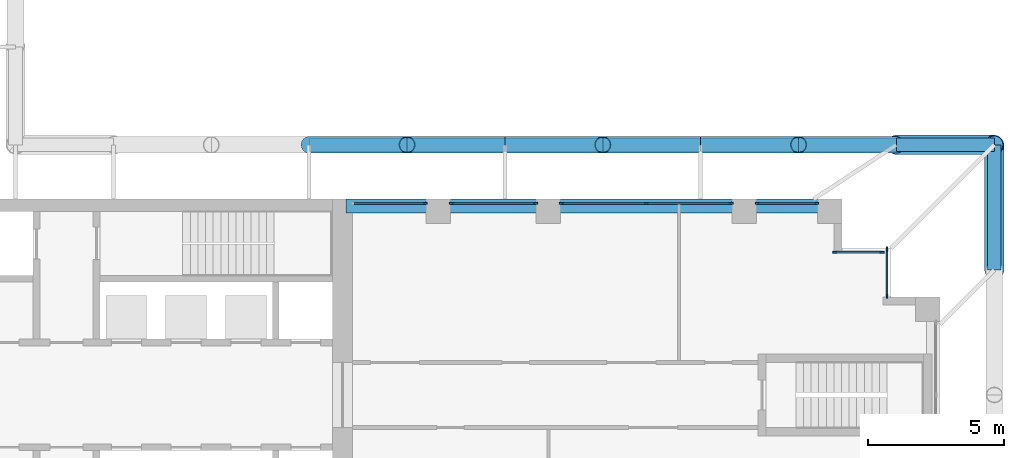
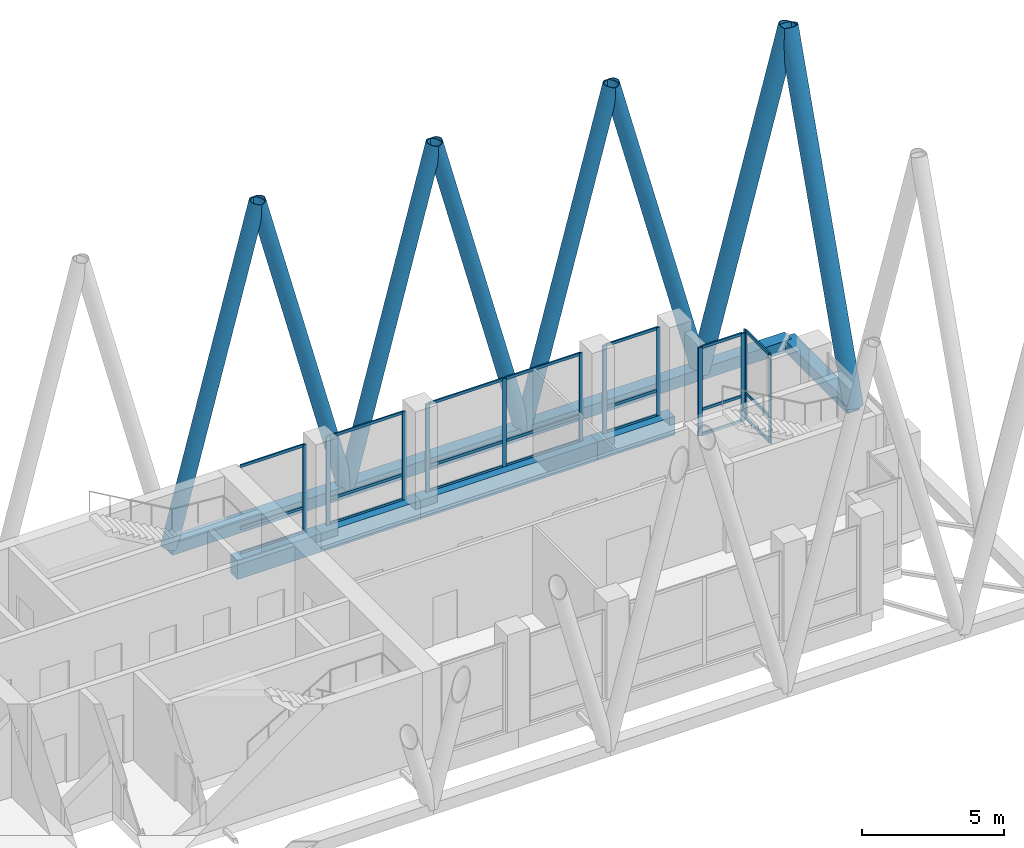
# One storey, part 9 of 22: 46 members, 4 beams, 6 elements without a shape of their own.
"""IFC4 building model written with IfcOpenShell, lengths in metres."""

from ifc_helpers import new_model, si_unit, direction, frame, origin, origin_2d, place, context, subcontext, project, spatial, rectangle, hollow_rectangle, hollow_circle, extrude, material, material_profile, profile_set, type_object, element, aggregate, save


model = new_model("IFC4")

# Units and contexts
model_context = context("Model", 3, precision=1e-05, world=origin(), true_north=direction((0.0, 1.0)))
body_context = subcontext(model_context, "Body", "Model", "MODEL_VIEW")
ifc_project = project(units=[si_unit("LENGTHUNIT", "METRE"), si_unit("AREAUNIT", "SQUARE_METRE"), si_unit("VOLUMEUNIT", "CUBIC_METRE"), si_unit("PLANEANGLEUNIT", "RADIAN"), si_unit("MASSUNIT", "GRAM", prefix="KILO")], contexts=[model_context])

# Site, building, storey
site_placement = place(None, origin())
site = spatial("IfcSite", under=ifc_project, at=site_placement, CompositionType="ELEMENT")
building_placement = place(site_placement, origin())
building = spatial("IfcBuilding", under=site, at=building_placement, Name="Fustian Cross Tower", CompositionType="ELEMENT")
storey_placement = place(building_placement, frame((0.0, 0.0, 116.10009765625)))
storey = spatial("IfcBuildingStorey", under=building, at=storey_placement, Name="L36", CompositionType="ELEMENT", Elevation=116.10009765625)

# Curtain wall, members
ifc_material_1 = material(Name="Dark anodised aluminium and double glazing", Category="aluminium")
curtain_wall_type = type_object("IfcCurtainWallType", Name="CW1 LOUNGE CURTAIN WALL", PredefinedType="NOTDEFINED", material=ifc_material_1)
curtain_wall_1_placement = place(storey_placement, origin())
curtain_wall_1 = element("IfcCurtainWall", 1, at=curtain_wall_1_placement, inside=storey, type_object=curtain_wall_type, Name="Curtain wall", PredefinedType="NOTDEFINED")
ifc_material_2 = material(Name="Aluminium alloy 6063", Category="aluminium")
ifc_material_profile_1 = material_profile(ifc_material_2, rectangle(XDim=0.06005859375, YDim=0.159912109375, at=origin_2d()), Name="CW1 MULLION 60X160")
ifc_profile_set_1 = profile_set([ifc_material_profile_1], Name="Aluminium alloy 6063")
member_type_1 = type_object("IfcMemberType", Name="CW1 MULLION 60X160", PredefinedType="MULLION", material=ifc_profile_set_1)
member_1_placement = place(storey_placement, frame((41.25, 3.6298828125, 0.0), z_axis=(0.0, 0.0, 1.0), x_axis=(-1.0, 0.0, 0.0)))
member_1 = element("IfcMember", 2, at=member_1_placement, type_object=member_type_1, Name="CW1 mullion 1", PredefinedType="MULLION", context=body_context, shape_type="SweptSolid", body=[
    extrude(rectangle(XDim=0.06005859375, YDim=0.159912109375, at=origin_2d()), origin(), (0.0, 0.0, 1.0), 3.7998046875),
])
member_2_placement = place(storey_placement, frame((41.25, 5.3701171875, 0.0), z_axis=(0.0, 0.0, 1.0), x_axis=(-1.0, 0.0, 0.0)))
member_2 = element("IfcMember", 3, at=member_2_placement, type_object=member_type_1, Name="CW1 mullion 2", PredefinedType="MULLION", context=body_context, shape_type="SweptSolid", body=[
    extrude(rectangle(XDim=0.06005859375, YDim=0.159912109375, at=origin_2d()), origin(), (0.0, 0.0, 1.0), 3.7998046875),
])

curtain_wall_2_placement = place(storey_placement, origin())
curtain_wall_2 = element("IfcCurtainWall", 4, at=curtain_wall_2_placement, inside=storey, type_object=curtain_wall_type, Name="Curtain wall", PredefinedType="NOTDEFINED")
member_3_placement = place(storey_placement, frame((41.070068359375, 5.25, 0.0), z_axis=(0.0, 0.0, 1.0), x_axis=(0.0, -1.0, 0.0)))
member_3 = element("IfcMember", 5, at=member_3_placement, type_object=member_type_1, Name="CW1 mullion 1", PredefinedType="MULLION", context=body_context, shape_type="SweptSolid", body=[
    extrude(rectangle(XDim=0.06005859375, YDim=0.159912109375, at=origin_2d()), origin(), (0.0, 0.0, 1.0), 3.7998046875),
])
member_4_placement = place(storey_placement, frame((39.330078125, 5.25, 0.0), z_axis=(0.0, 0.0, 1.0), x_axis=(0.0, -1.0, 0.0)))
member_4 = element("IfcMember", 6, at=member_4_placement, type_object=member_type_1, Name="CW1 mullion 2", PredefinedType="MULLION", context=body_context, shape_type="SweptSolid", body=[
    extrude(rectangle(XDim=0.06005859375, YDim=0.159912109375, at=origin_2d()), origin(), (0.0, 0.0, 1.0), 3.7998046875),
])

curtain_wall_3_placement = place(storey_placement, origin())
curtain_wall_3 = element("IfcCurtainWall", 7, at=curtain_wall_3_placement, inside=storey, type_object=curtain_wall_type, Name="Curtain wall", PredefinedType="NOTDEFINED")
member_5_placement = place(storey_placement, frame((38.669921875, 7.050048828125, 0.0), z_axis=(0.0, 0.0, 1.0), x_axis=(0.0, -1.0, 0.0)))
member_5 = element("IfcMember", 8, at=member_5_placement, type_object=member_type_1, Name="CW1 mullion 1", PredefinedType="MULLION", context=body_context, shape_type="SweptSolid", body=[
    extrude(rectangle(XDim=0.06005859375, YDim=0.159912109375, at=origin_2d()), origin(), (0.0, 0.0, 1.0), 3.7998046875),
])
member_6_placement = place(storey_placement, frame((36.47998046875, 7.050048828125, 0.0), z_axis=(0.0, 0.0, 1.0), x_axis=(0.0, -1.0, 0.0)))
member_6 = element("IfcMember", 9, at=member_6_placement, type_object=member_type_1, Name="CW1 mullion 2", PredefinedType="MULLION", context=body_context, shape_type="SweptSolid", body=[
    extrude(rectangle(XDim=0.06005859375, YDim=0.159912109375, at=origin_2d()), origin(), (0.0, 0.0, 1.0), 3.7998046875),
])

curtain_wall_4_placement = place(storey_placement, origin())
curtain_wall_4 = element("IfcCurtainWall", 10, at=curtain_wall_4_placement, inside=storey, type_object=curtain_wall_type, Name="Curtain wall", PredefinedType="NOTDEFINED")
member_7_placement = place(storey_placement, frame((35.52001953125, 7.050048828125, 0.0), z_axis=(0.0, 0.0, 1.0), x_axis=(0.0, -1.0, 0.0)))
member_7 = element("IfcMember", 11, at=member_7_placement, type_object=member_type_1, Name="CW1 mullion 1", PredefinedType="MULLION", context=body_context, shape_type="SweptSolid", body=[
    extrude(rectangle(XDim=0.06005859375, YDim=0.159912109375, at=origin_2d()), origin(), (0.0, 0.0, 1.0), 3.7998046875),
])
member_8_placement = place(storey_placement, frame((32.39990234375, 7.050048828125, 0.0), z_axis=(0.0, 0.0, 1.0), x_axis=(0.0, -1.0, 0.0)))
member_8 = element("IfcMember", 12, at=member_8_placement, type_object=member_type_1, Name="CW1 mullion 2", PredefinedType="MULLION", context=body_context, shape_type="SweptSolid", body=[
    extrude(rectangle(XDim=0.06005859375, YDim=0.159912109375, at=origin_2d()), origin(), (0.0, 0.0, 1.0), 3.7998046875),
])
member_9_placement = place(storey_placement, frame((29.280029296875, 7.050048828125, 0.0), z_axis=(0.0, 0.0, 1.0), x_axis=(0.0, -1.0, 0.0)))
member_9 = element("IfcMember", 13, at=member_9_placement, type_object=member_type_1, Name="CW1 mullion 3", PredefinedType="MULLION", context=body_context, shape_type="SweptSolid", body=[
    extrude(rectangle(XDim=0.06005859375, YDim=0.159912109375, at=origin_2d()), origin(), (0.0, 0.0, 1.0), 3.7998046875),
])

curtain_wall_5_placement = place(storey_placement, origin())
curtain_wall_5 = element("IfcCurtainWall", 14, at=curtain_wall_5_placement, inside=storey, type_object=curtain_wall_type, Name="Curtain wall", PredefinedType="NOTDEFINED")
member_10_placement = place(storey_placement, frame((28.320068359375, 7.050048828125, 0.0), z_axis=(0.0, 0.0, 1.0), x_axis=(0.0, -1.0, 0.0)))
member_10 = element("IfcMember", 15, at=member_10_placement, type_object=member_type_1, Name="CW1 mullion 1", PredefinedType="MULLION", context=body_context, shape_type="SweptSolid", body=[
    extrude(rectangle(XDim=0.06005859375, YDim=0.159912109375, at=origin_2d()), origin(), (0.0, 0.0, 1.0), 3.7998046875),
])
member_11_placement = place(storey_placement, frame((25.22998046875, 7.050048828125, 0.0), z_axis=(0.0, 0.0, 1.0), x_axis=(0.0, -1.0, 0.0)))
member_11 = element("IfcMember", 16, at=member_11_placement, type_object=member_type_1, Name="CW1 mullion 2", PredefinedType="MULLION", context=body_context, shape_type="SweptSolid", body=[
    extrude(rectangle(XDim=0.06005859375, YDim=0.159912109375, at=origin_2d()), origin(), (0.0, 0.0, 1.0), 3.7998046875),
])

# Curtain wall, member
curtain_wall_6_placement = place(storey_placement, origin())
curtain_wall_6 = element("IfcCurtainWall", 17, at=curtain_wall_6_placement, inside=storey, type_object=curtain_wall_type, Name="Curtain wall", PredefinedType="NOTDEFINED")
member_12_placement = place(storey_placement, frame((24.27001953125, 7.050048828125, 0.0), z_axis=(0.0, 0.0, 1.0), x_axis=(0.0, -1.0, 0.0)))
member_12 = element("IfcMember", 18, at=member_12_placement, type_object=member_type_1, Name="CW1 mullion 1", PredefinedType="MULLION", context=body_context, shape_type="SweptSolid", body=[
    extrude(rectangle(XDim=0.06005859375, YDim=0.159912109375, at=origin_2d()), origin(), (0.0, 0.0, 1.0), 3.7998046875),
])

# Member
ifc_material_3 = material(Name="Aluminium alloy 6063", Category="aluminium")
ifc_material_profile_2 = material_profile(ifc_material_3, rectangle(XDim=0.06005859375, YDim=0.1201171875, at=origin_2d()), Name="CW1 TRANSOM 60X120")
ifc_profile_set_2 = profile_set([ifc_material_profile_2], Name="Aluminium alloy 6063")
member_type_2 = type_object("IfcMemberType", Name="CW1 TRANSOM 60X120", PredefinedType="USERDEFINED", material=ifc_profile_set_2)
member_13_placement = place(storey_placement, frame((41.25, 3.659912109375, 0.02978515625), z_axis=(0.0, 1.0, 0.0), x_axis=(-1.0, 0.0, 0.0)))
member_13 = element("IfcMember", 19, at=member_13_placement, type_object=member_type_2, Name="CW1 transom 1.1", ObjectType="TRANSOM", PredefinedType="USERDEFINED", context=body_context, shape_type="SweptSolid", body=[
    extrude(rectangle(XDim=0.06005859375, YDim=0.1201171875, at=origin_2d()), origin(), (0.0, 0.0, 1.0), 1.68017578125),
])

member_14_placement = place(storey_placement, frame((41.25, 3.659912109375, 1.099853515625), z_axis=(0.0, 1.0, 0.0), x_axis=(-1.0, 0.0, 0.0)))
member_14 = element("IfcMember", 20, at=member_14_placement, type_object=member_type_2, Name="CW1 transom 1.2", ObjectType="TRANSOM", PredefinedType="USERDEFINED", context=body_context, shape_type="SweptSolid", body=[
    extrude(rectangle(XDim=0.06005859375, YDim=0.1201171875, at=origin_2d()), origin(), (0.0, 0.0, 1.0), 1.68017578125),
])

member_15_placement = place(storey_placement, frame((41.25, 3.659912109375, 3.77001953125), z_axis=(0.0, 1.0, 0.0), x_axis=(-1.0, 0.0, 0.0)))
member_15 = element("IfcMember", 21, at=member_15_placement, type_object=member_type_2, Name="CW1 transom 1.3", ObjectType="TRANSOM", PredefinedType="USERDEFINED", context=body_context, shape_type="SweptSolid", body=[
    extrude(rectangle(XDim=0.06005859375, YDim=0.1201171875, at=origin_2d()), origin(), (0.0, 0.0, 1.0), 1.68017578125),
])

aggregate(curtain_wall_1, [member_1, member_2, member_13, member_14, member_15])

member_16_placement = place(storey_placement, frame((41.0400390625, 5.25, 0.02978515625), z_axis=(-1.0, 0.0, 0.0), x_axis=(0.0, -1.0, 0.0)))
member_16 = element("IfcMember", 22, at=member_16_placement, type_object=member_type_2, Name="CW1 transom 1.1", ObjectType="TRANSOM", PredefinedType="USERDEFINED", context=body_context, shape_type="SweptSolid", body=[
    extrude(rectangle(XDim=0.06005859375, YDim=0.1201171875, at=origin_2d()), origin(), (0.0, 0.0, 1.0), 1.679931640625),
])

member_17_placement = place(storey_placement, frame((41.0400390625, 5.25, 1.099853515625), z_axis=(-1.0, 0.0, 0.0), x_axis=(0.0, -1.0, 0.0)))
member_17 = element("IfcMember", 23, at=member_17_placement, type_object=member_type_2, Name="CW1 transom 1.2", ObjectType="TRANSOM", PredefinedType="USERDEFINED", context=body_context, shape_type="SweptSolid", body=[
    extrude(rectangle(XDim=0.06005859375, YDim=0.1201171875, at=origin_2d()), origin(), (0.0, 0.0, 1.0), 1.679931640625),
])

member_18_placement = place(storey_placement, frame((41.0400390625, 5.25, 3.77001953125), z_axis=(-1.0, 0.0, 0.0), x_axis=(0.0, -1.0, 0.0)))
member_18 = element("IfcMember", 24, at=member_18_placement, type_object=member_type_2, Name="CW1 transom 1.3", ObjectType="TRANSOM", PredefinedType="USERDEFINED", context=body_context, shape_type="SweptSolid", body=[
    extrude(rectangle(XDim=0.06005859375, YDim=0.1201171875, at=origin_2d()), origin(), (0.0, 0.0, 1.0), 1.679931640625),
])

aggregate(curtain_wall_2, [member_3, member_4, member_16, member_17, member_18])

member_19_placement = place(storey_placement, frame((38.639892578125, 7.050048828125, 0.02978515625), z_axis=(-1.0, 0.0, 0.0), x_axis=(0.0, -1.0, 0.0)))
member_19 = element("IfcMember", 25, at=member_19_placement, type_object=member_type_2, Name="CW1 transom 1.1", ObjectType="TRANSOM", PredefinedType="USERDEFINED", context=body_context, shape_type="SweptSolid", body=[
    extrude(rectangle(XDim=0.06005859375, YDim=0.1201171875, at=origin_2d()), origin(), (0.0, 0.0, 1.0), 2.1298828125),
])

member_20_placement = place(storey_placement, frame((38.639892578125, 7.050048828125, 1.099853515625), z_axis=(-1.0, 0.0, 0.0), x_axis=(0.0, -1.0, 0.0)))
member_20 = element("IfcMember", 26, at=member_20_placement, type_object=member_type_2, Name="CW1 transom 1.2", ObjectType="TRANSOM", PredefinedType="USERDEFINED", context=body_context, shape_type="SweptSolid", body=[
    extrude(rectangle(XDim=0.06005859375, YDim=0.1201171875, at=origin_2d()), origin(), (0.0, 0.0, 1.0), 2.1298828125),
])

member_21_placement = place(storey_placement, frame((38.639892578125, 7.050048828125, 3.77001953125), z_axis=(-1.0, 0.0, 0.0), x_axis=(0.0, -1.0, 0.0)))
member_21 = element("IfcMember", 27, at=member_21_placement, type_object=member_type_2, Name="CW1 transom 1.3", ObjectType="TRANSOM", PredefinedType="USERDEFINED", context=body_context, shape_type="SweptSolid", body=[
    extrude(rectangle(XDim=0.06005859375, YDim=0.1201171875, at=origin_2d()), origin(), (0.0, 0.0, 1.0), 2.1298828125),
])

aggregate(curtain_wall_3, [member_5, member_6, member_19, member_20, member_21])

member_22_placement = place(storey_placement, frame((35.489990234375, 7.050048828125, 0.02978515625), z_axis=(-1.0, 0.0, 0.0), x_axis=(0.0, -1.0, 0.0)))
member_22 = element("IfcMember", 28, at=member_22_placement, type_object=member_type_2, Name="CW1 transom 1.1", ObjectType="TRANSOM", PredefinedType="USERDEFINED", context=body_context, shape_type="SweptSolid", body=[
    extrude(rectangle(XDim=0.06005859375, YDim=0.1201171875, at=origin_2d()), origin(), (0.0, 0.0, 1.0), 3.06005859375),
])

member_23_placement = place(storey_placement, frame((35.489990234375, 7.050048828125, 1.099853515625), z_axis=(-1.0, 0.0, 0.0), x_axis=(0.0, -1.0, 0.0)))
member_23 = element("IfcMember", 29, at=member_23_placement, type_object=member_type_2, Name="CW1 transom 1.2", ObjectType="TRANSOM", PredefinedType="USERDEFINED", context=body_context, shape_type="SweptSolid", body=[
    extrude(rectangle(XDim=0.06005859375, YDim=0.1201171875, at=origin_2d()), origin(), (0.0, 0.0, 1.0), 3.06005859375),
])

member_24_placement = place(storey_placement, frame((35.489990234375, 7.050048828125, 3.77001953125), z_axis=(-1.0, 0.0, 0.0), x_axis=(0.0, -1.0, 0.0)))
member_24 = element("IfcMember", 30, at=member_24_placement, type_object=member_type_2, Name="CW1 transom 1.3", ObjectType="TRANSOM", PredefinedType="USERDEFINED", context=body_context, shape_type="SweptSolid", body=[
    extrude(rectangle(XDim=0.06005859375, YDim=0.1201171875, at=origin_2d()), origin(), (0.0, 0.0, 1.0), 3.06005859375),
])

member_25_placement = place(storey_placement, frame((32.3701171875, 7.050048828125, 0.02978515625), z_axis=(-1.0, 0.0, 0.0), x_axis=(0.0, -1.0, 0.0)))
member_25 = element("IfcMember", 31, at=member_25_placement, type_object=member_type_2, Name="CW1 transom 2.1", ObjectType="TRANSOM", PredefinedType="USERDEFINED", context=body_context, shape_type="SweptSolid", body=[
    extrude(rectangle(XDim=0.06005859375, YDim=0.1201171875, at=origin_2d()), origin(), (0.0, 0.0, 1.0), 3.06005859375),
])

member_26_placement = place(storey_placement, frame((32.3701171875, 7.050048828125, 1.099853515625), z_axis=(-1.0, 0.0, 0.0), x_axis=(0.0, -1.0, 0.0)))
member_26 = element("IfcMember", 32, at=member_26_placement, type_object=member_type_2, Name="CW1 transom 2.2", ObjectType="TRANSOM", PredefinedType="USERDEFINED", context=body_context, shape_type="SweptSolid", body=[
    extrude(rectangle(XDim=0.06005859375, YDim=0.1201171875, at=origin_2d()), origin(), (0.0, 0.0, 1.0), 3.06005859375),
])

member_27_placement = place(storey_placement, frame((32.3701171875, 7.050048828125, 3.77001953125), z_axis=(-1.0, 0.0, 0.0), x_axis=(0.0, -1.0, 0.0)))
member_27 = element("IfcMember", 33, at=member_27_placement, type_object=member_type_2, Name="CW1 transom 2.3", ObjectType="TRANSOM", PredefinedType="USERDEFINED", context=body_context, shape_type="SweptSolid", body=[
    extrude(rectangle(XDim=0.06005859375, YDim=0.1201171875, at=origin_2d()), origin(), (0.0, 0.0, 1.0), 3.06005859375),
])

aggregate(curtain_wall_4, [member_7, member_8, member_9, member_22, member_23, member_24, member_25, member_26, member_27])

member_28_placement = place(storey_placement, frame((28.2900390625, 7.050048828125, 0.02978515625), z_axis=(-1.0, 0.0, 0.0), x_axis=(0.0, -1.0, 0.0)))
member_28 = element("IfcMember", 34, at=member_28_placement, type_object=member_type_2, Name="CW1 transom 1.1", ObjectType="TRANSOM", PredefinedType="USERDEFINED", context=body_context, shape_type="SweptSolid", body=[
    extrude(rectangle(XDim=0.06005859375, YDim=0.1201171875, at=origin_2d()), origin(), (0.0, 0.0, 1.0), 3.030029296875),
])

member_29_placement = place(storey_placement, frame((28.2900390625, 7.050048828125, 1.099853515625), z_axis=(-1.0, 0.0, 0.0), x_axis=(0.0, -1.0, 0.0)))
member_29 = element("IfcMember", 35, at=member_29_placement, type_object=member_type_2, Name="CW1 transom 1.2", ObjectType="TRANSOM", PredefinedType="USERDEFINED", context=body_context, shape_type="SweptSolid", body=[
    extrude(rectangle(XDim=0.06005859375, YDim=0.1201171875, at=origin_2d()), origin(), (0.0, 0.0, 1.0), 3.030029296875),
])

member_30_placement = place(storey_placement, frame((28.2900390625, 7.050048828125, 3.77001953125), z_axis=(-1.0, 0.0, 0.0), x_axis=(0.0, -1.0, 0.0)))
member_30 = element("IfcMember", 36, at=member_30_placement, type_object=member_type_2, Name="CW1 transom 1.3", ObjectType="TRANSOM", PredefinedType="USERDEFINED", context=body_context, shape_type="SweptSolid", body=[
    extrude(rectangle(XDim=0.06005859375, YDim=0.1201171875, at=origin_2d()), origin(), (0.0, 0.0, 1.0), 3.030029296875),
])

aggregate(curtain_wall_5, [member_10, member_11, member_28, member_29, member_30])

member_31_placement = place(storey_placement, frame((24.239990234375, 7.050048828125, 0.02978515625), z_axis=(-1.0, 0.0, 0.0), x_axis=(0.0, -1.0, 0.0)))
member_31 = element("IfcMember", 37, at=member_31_placement, type_object=member_type_2, Name="CW1 transom 1.1", ObjectType="TRANSOM", PredefinedType="USERDEFINED", context=body_context, shape_type="SweptSolid", body=[
    extrude(rectangle(XDim=0.06005859375, YDim=0.1201171875, at=origin_2d()), origin(), (0.0, 0.0, 1.0), 2.580078125),
])

member_32_placement = place(storey_placement, frame((24.239990234375, 7.050048828125, 1.099853515625), z_axis=(-1.0, 0.0, 0.0), x_axis=(0.0, -1.0, 0.0)))
member_32 = element("IfcMember", 38, at=member_32_placement, type_object=member_type_2, Name="CW1 transom 1.2", ObjectType="TRANSOM", PredefinedType="USERDEFINED", context=body_context, shape_type="SweptSolid", body=[
    extrude(rectangle(XDim=0.06005859375, YDim=0.1201171875, at=origin_2d()), origin(), (0.0, 0.0, 1.0), 2.580078125),
])

member_33_placement = place(storey_placement, frame((24.239990234375, 7.050048828125, 3.77001953125), z_axis=(-1.0, 0.0, 0.0), x_axis=(0.0, -1.0, 0.0)))
member_33 = element("IfcMember", 39, at=member_33_placement, type_object=member_type_2, Name="CW1 transom 1.3", ObjectType="TRANSOM", PredefinedType="USERDEFINED", context=body_context, shape_type="SweptSolid", body=[
    extrude(rectangle(XDim=0.06005859375, YDim=0.1201171875, at=origin_2d()), origin(), (0.0, 0.0, 1.0), 2.580078125),
])

aggregate(curtain_wall_6, [member_12, member_31, member_32, member_33])

# Members
ifc_material_4 = material(Name="Steel S355", Category="steel")
ifc_material_profile_3 = material_profile(ifc_material_4, hollow_circle(Radius=0.3046875, WallThickness=0.02490234375, at=origin_2d()), Name="CHS 610x25")
ifc_profile_set_3 = profile_set([ifc_material_profile_3], Name="Steel S355")
member_type_3 = type_object("IfcMemberType", Name="DIAGRID DIAGONAL CHS 610x25", PredefinedType="BRACE", material=ifc_profile_set_3)
for number, where, z_axis, x_axis, name in (
    (40, (41.60009765625, 9.199951171875, -0.400146484375), (-0.255897330119, 0.0, 0.966703965254), (0.0, -1.0, 0.0), "Diagrid diagonal E-N 02"),
    (41, (34.39990234375, 9.199951171875, -0.400146484375), (0.255897330119, 0.0, 0.966703965254), (0.0, 1.0, 0.0), "Diagrid diagonal E-N 03"),
):
    element("IfcMember", number, at=place(storey_placement, frame(where, z_axis=z_axis, x_axis=x_axis)), inside=storey, type_object=member_type_3, Name=name, PredefinedType="BRACE", context=body_context, shape_type="SweptSolid", body=[
        extrude(hollow_circle(Radius=0.3046875, WallThickness=0.02490234375, at=origin_2d()), origin(), (0.0, 0.0, 1.0), 14.068603515625),
    ])
member_34_placement = place(storey_placement, frame((34.39990234375, 9.199951171875, -0.400146484375), z_axis=(-0.255881112712, 0.0, 0.966708258037), x_axis=(0.0, -1.0, 0.0)))
element("IfcMember", 42, at=member_34_placement, inside=storey, type_object=member_type_3, Name="Diagrid diagonal E-N 04", PredefinedType="BRACE", context=body_context, shape_type="SweptSolid", body=[
    extrude(hollow_circle(Radius=0.3046875, WallThickness=0.02490234375, at=origin_2d()), origin(), (0.0, 0.0, 1.0), 14.068359375),
])
member_35_placement = place(storey_placement, frame((27.199951171875, 9.199951171875, -0.400146484375), z_axis=(0.255897330119, 0.0, 0.966703965254), x_axis=(0.0, 1.0, 0.0)))
element("IfcMember", 43, at=member_35_placement, inside=storey, type_object=member_type_3, Name="Diagrid diagonal E-N 05", PredefinedType="BRACE", context=body_context, shape_type="SweptSolid", body=[
    extrude(hollow_circle(Radius=0.3046875, WallThickness=0.02490234375, at=origin_2d()), origin(), (0.0, 0.0, 1.0), 14.068603515625),
])
member_36_placement = place(storey_placement, frame((27.199951171875, 9.199951171875, -0.400146484375), z_axis=(-0.255881112712, 0.0, 0.966708258037), x_axis=(0.0, -1.0, 0.0)))
element("IfcMember", 44, at=member_36_placement, inside=storey, type_object=member_type_3, Name="Diagrid diagonal E-N 06", PredefinedType="BRACE", context=body_context, shape_type="SweptSolid", body=[
    extrude(hollow_circle(Radius=0.3046875, WallThickness=0.02490234375, at=origin_2d()), origin(), (0.0, 0.0, 1.0), 14.068359375),
])
member_37_placement = place(storey_placement, frame((20.0, 9.199951171875, -0.400146484375), z_axis=(0.255897330119, 0.0, 0.966703965254), x_axis=(0.0, 1.0, 0.0)))
element("IfcMember", 45, at=member_37_placement, inside=storey, type_object=member_type_3, Name="Diagrid diagonal E-N 07", PredefinedType="BRACE", context=body_context, shape_type="SweptSolid", body=[
    extrude(hollow_circle(Radius=0.3046875, WallThickness=0.02490234375, at=origin_2d()), origin(), (0.0, 0.0, 1.0), 14.068603515625),
])
ifc_material_5 = material(Name="Steel S355", Category="steel")
ifc_material_profile_4 = material_profile(ifc_material_5, hollow_circle(Radius=0.355712890625, WallThickness=0.031982421875, at=origin_2d()), Name="CHS 711x32")
ifc_profile_set_4 = profile_set([ifc_material_profile_4], Name="Steel S355")
member_type_4 = type_object("IfcMemberType", Name="DIAGRID DIAGONAL CHS 711x32", PredefinedType="BRACE", material=ifc_profile_set_4)
member_38_placement = place(storey_placement, frame((45.199951171875, 4.60009765625, -0.400146484375), z_axis=(0.0, 0.320392658503, 0.947284827482), x_axis=(-1.0, 0.0, 0.0)))
element("IfcMember", 46, at=member_38_placement, inside=storey, type_object=member_type_4, Name="Diagrid diagonal E-end 04", PredefinedType="BRACE", context=body_context, shape_type="SweptSolid", body=[
    extrude(hollow_circle(Radius=0.355712890625, WallThickness=0.031982421875, at=origin_2d()), origin(), (0.0, 0.0, 1.0), 14.35693359375),
])
member_39_placement = place(storey_placement, frame((41.60009765625, 9.199951171875, -0.400146484375), z_axis=(0.255881112712, 0.0, 0.966708258037), x_axis=(0.0, 1.0, 0.0)))
element("IfcMember", 47, at=member_39_placement, inside=storey, type_object=member_type_4, Name="Diagrid diagonal E-N 01", PredefinedType="BRACE", context=body_context, shape_type="SweptSolid", body=[
    extrude(hollow_circle(Radius=0.355712890625, WallThickness=0.031982421875, at=origin_2d()), origin(), (0.0, 0.0, 1.0), 14.068359375),
])
ifc_material_6 = material(Name="Steel S355", Category="steel")
ifc_material_profile_5 = material_profile(ifc_material_6, hollow_rectangle(XDim=0.5, YDim=0.5, WallThickness=0.02490234375, at=origin_2d()), Name="RHS 500x500x25")
ifc_profile_set_5 = profile_set([ifc_material_profile_5], Name="Steel S355")
member_type_5 = type_object("IfcMemberType", Name="DIAGRID RING RHS 500x500x25", PredefinedType="MEMBER", material=ifc_profile_set_5)
member_40_placement = place(storey_placement, frame((45.199951171875, 4.60009765625, -0.400146484375), z_axis=(0.0, 1.0, 0.0), x_axis=(-1.0, 0.0, 0.0)))
element("IfcMember", 48, at=member_40_placement, inside=storey, type_object=member_type_5, Name="Diagrid ring L36-01 L36-02", PredefinedType="MEMBER", context=body_context, shape_type="SweptSolid", body=[
    extrude(hollow_rectangle(XDim=0.5, YDim=0.5, WallThickness=0.02490234375, at=origin_2d()), origin(), (0.0, 0.0, 1.0), 4.599853515625),
])
member_41_placement = place(storey_placement, frame((45.199951171875, 9.199951171875, -0.400146484375), z_axis=(-1.0, 0.0, 0.0), x_axis=(0.0, -1.0, 0.0)))
element("IfcMember", 49, at=member_41_placement, inside=storey, type_object=member_type_5, Name="Diagrid ring L36-02 L36-03", PredefinedType="MEMBER", context=body_context, shape_type="SweptSolid", body=[
    extrude(hollow_rectangle(XDim=0.5, YDim=0.5, WallThickness=0.02490234375, at=origin_2d()), origin(), (0.0, 0.0, 1.0), 3.599853515625),
])
member_42_placement = place(storey_placement, frame((41.60009765625, 9.199951171875, -0.400146484375), z_axis=(-1.0, 0.0, 0.0), x_axis=(0.0, -1.0, 0.0)))
element("IfcMember", 50, at=member_42_placement, inside=storey, type_object=member_type_5, Name="Diagrid ring L36-03 L36-04", PredefinedType="MEMBER", context=body_context, shape_type="SweptSolid", body=[
    extrude(hollow_rectangle(XDim=0.5, YDim=0.5, WallThickness=0.02490234375, at=origin_2d()), origin(), (0.0, 0.0, 1.0), 7.2001953125),
])
for number, where, z_axis, x_axis, name in (
    (51, (34.39990234375, 9.199951171875, -0.400146484375), (-1.0, 0.0, 0.0), (0.0, -1.0, 0.0), "Diagrid ring L36-04 L36-05"),
    (52, (27.199951171875, 9.199951171875, -0.400146484375), (-1.0, 0.0, 0.0), (0.0, -1.0, 0.0), "Diagrid ring L36-05 L36-06"),
):
    element("IfcMember", number, at=place(storey_placement, frame(where, z_axis=z_axis, x_axis=x_axis)), inside=storey, type_object=member_type_5, Name=name, PredefinedType="MEMBER", context=body_context, shape_type="SweptSolid", body=[
        extrude(hollow_rectangle(XDim=0.5, YDim=0.5, WallThickness=0.02490234375, at=origin_2d()), origin(), (0.0, 0.0, 1.0), 7.199951171875),
    ])

# Beams
ifc_material_7 = material(Name="Concrete C50/60", Category="concrete")
ifc_material_profile_6 = material_profile(ifc_material_7, rectangle(XDim=0.5, YDim=0.800048828125, at=origin_2d()), Name="RC 500x800")
ifc_profile_set_6 = profile_set([ifc_material_profile_6], Name="Concrete C50/60")
beam_type = type_object("IfcBeamType", Name="EDGE BEAM RC 500x800 C50/60", PredefinedType="SPANDREL", material=ifc_profile_set_6)
beam_1_placement = place(storey_placement, frame((39.14990234375, 6.949951171875, -0.400146484375), z_axis=(-1.0, 0.0, 0.0), x_axis=(0.0, -1.0, 0.0)))
element("IfcBeam", 53, at=beam_1_placement, inside=storey, type_object=beam_type, Name="EDGE BEAM L36-06", PredefinedType="SPANDREL", context=body_context, shape_type="SweptSolid", body=[
    extrude(rectangle(XDim=0.5, YDim=0.800048828125, at=origin_2d()), origin(), (0.0, 0.0, 1.0), 3.14990234375),
])
beam_2_placement = place(storey_placement, frame((36.0, 6.949951171875, -0.400146484375), z_axis=(-1.0, 0.0, 0.0), x_axis=(0.0, -1.0, 0.0)))
element("IfcBeam", 54, at=beam_2_placement, inside=storey, type_object=beam_type, Name="EDGE BEAM L36-07", PredefinedType="SPANDREL", context=body_context, shape_type="SweptSolid", body=[
    extrude(rectangle(XDim=0.5, YDim=0.800048828125, at=origin_2d()), origin(), (0.0, 0.0, 1.0), 7.199951171875),
])
beam_3_placement = place(storey_placement, frame((28.800048828125, 6.949951171875, -0.400146484375), z_axis=(-1.0, 0.0, 0.0), x_axis=(0.0, -1.0, 0.0)))
element("IfcBeam", 55, at=beam_3_placement, inside=storey, type_object=beam_type, Name="EDGE BEAM L36-08", PredefinedType="SPANDREL", context=body_context, shape_type="SweptSolid", body=[
    extrude(rectangle(XDim=0.5, YDim=0.800048828125, at=origin_2d()), origin(), (0.0, 0.0, 1.0), 4.050048828125),
])
beam_4_placement = place(storey_placement, frame((24.75, 6.949951171875, -0.400146484375), z_axis=(-1.0, 0.0, 0.0), x_axis=(0.0, -1.0, 0.0)))
element("IfcBeam", 56, at=beam_4_placement, inside=storey, type_object=beam_type, Name="EDGE BEAM L36-09", PredefinedType="SPANDREL", context=body_context, shape_type="SweptSolid", body=[
    extrude(rectangle(XDim=0.5, YDim=0.800048828125, at=origin_2d()), origin(), (0.0, 0.0, 1.0), 3.39990234375),
])

save(model, "model.ifc")
